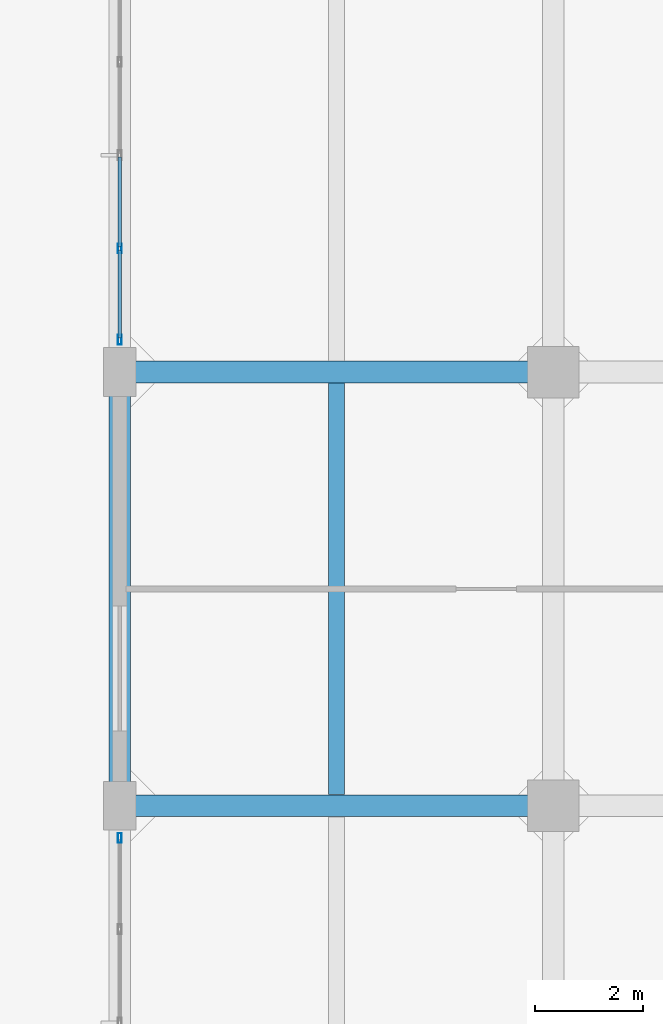
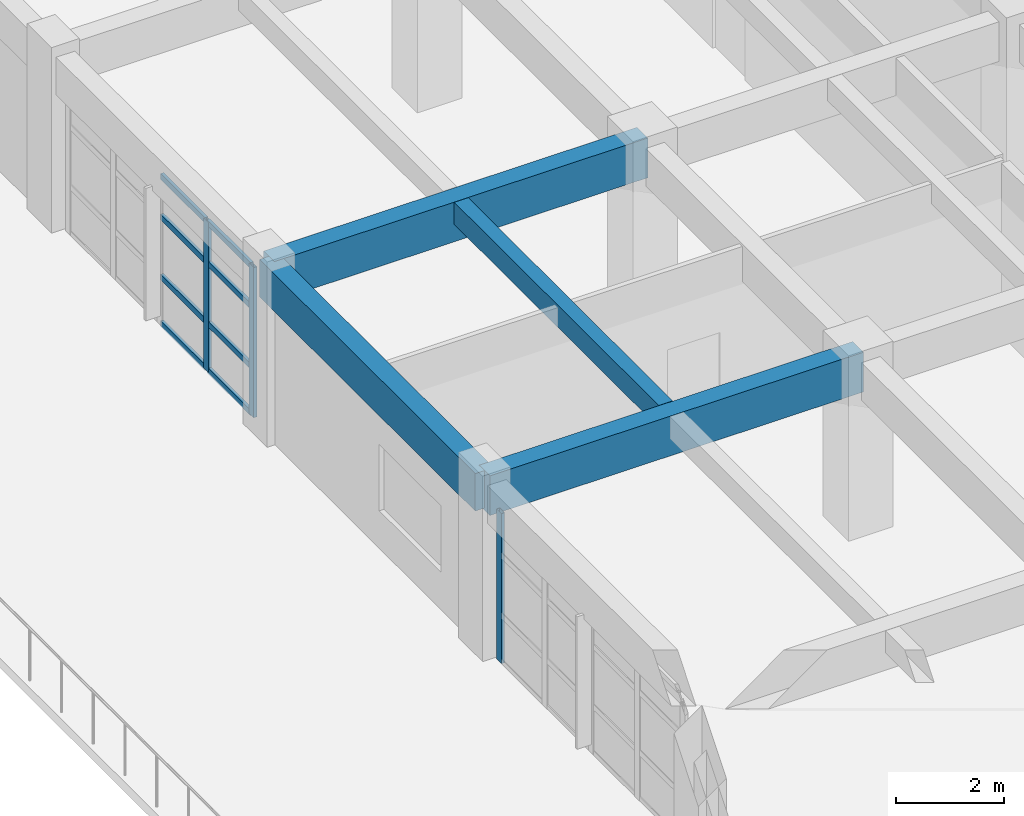
# One storey, part 6 of 35: 11 members, 4 beams, 2 elements without a shape of their own.
"""IFC4 building model written with IfcOpenShell, lengths in metres."""

from ifc_helpers import new_model, si_unit, direction, frame, origin, origin_2d, place, context, subcontext, project, spatial, rectangle, hollow_rectangle, extrude, material, layer, layer_set, material_profile, profile_set, type_object, element, aggregate, save


model = new_model("IFC4")

# Units and contexts
model_context = context("Model", 3, precision=1e-05, world=origin(), true_north=direction((0.0, 1.0)))
body_context = subcontext(model_context, "Body", "Model", "MODEL_VIEW")
ifc_project = project(units=[si_unit("LENGTHUNIT", "METRE"), si_unit("AREAUNIT", "SQUARE_METRE"), si_unit("VOLUMEUNIT", "CUBIC_METRE"), si_unit("PLANEANGLEUNIT", "RADIAN"), si_unit("MASSUNIT", "GRAM", prefix="KILO")], contexts=[model_context])

# Site, building, storey
site_placement = place(None, origin())
site = spatial("IfcSite", under=ifc_project, at=site_placement, CompositionType="ELEMENT")
building_placement = place(site_placement, origin())
building = spatial("IfcBuilding", under=site, at=building_placement, Name="Canggui Botanical Conservatory", CompositionType="ELEMENT")
storey_placement = place(building_placement, frame((0.0, 0.0, 15.0)))
storey = spatial("IfcBuildingStorey", under=building, at=storey_placement, Name="L04", CompositionType="ELEMENT", Elevation=15.0)

# Beams
ifc_material_1 = material(Name="Concrete C35", Category="concrete")
ifc_material_profile_1 = material_profile(ifc_material_1, rectangle(XDim=0.300048828125, YDim=0.5, at=origin_2d()), Name="RB 300x500")
ifc_profile_set_1 = profile_set([ifc_material_profile_1], Name="Concrete C35")
beam_type_1 = type_object("IfcBeamType", Name="BM-JST02", PredefinedType="JOIST", material=ifc_profile_set_1)
beam_1_placement = place(storey_placement, frame((142.0, 50.205078125, 3.699951171875), z_axis=(0.0, 1.0, 0.0), x_axis=(-1.0, 0.0, 0.0)))
element("IfcBeam", 1, at=beam_1_placement, inside=storey, type_object=beam_type_1, Name="Secondary Floor Joist L04-1-4", PredefinedType="JOIST", context=body_context, shape_type="SweptSolid", body=[
    extrude(rectangle(XDim=0.300048828125, YDim=0.5, at=origin_2d()), origin(), (0.0, 0.0, 1.0), 7.58984375),
])
ifc_material_profile_2 = material_profile(ifc_material_1, rectangle(XDim=0.39990234375, YDim=0.89990234375, at=origin_2d()), Name="RB 400x900")
ifc_profile_set_2 = profile_set([ifc_material_profile_2], Name="Concrete C35")
beam_type_2 = type_object("IfcBeamType", Name="BM-KL07", PredefinedType="BEAM", material=ifc_profile_set_2)
for number, where, z_axis, x_axis, name in (
    (2, (138.0, 50.0, 3.5), (1.0, 0.0, 0.0), (0.0, 1.0, 0.0), "Frame Girder L04 Y50-1"),
    (3, (138.0, 58.0, 3.5), (1.0, 0.0, 0.0), (0.0, 1.0, 0.0), "Frame Girder L04 Y58-1"),
):
    element("IfcBeam", number, at=place(storey_placement, frame(where, z_axis=z_axis, x_axis=x_axis)), inside=storey, type_object=beam_type_2, Name=name, PredefinedType="BEAM", context=body_context, shape_type="SweptSolid", body=[
        extrude(rectangle(XDim=0.39990234375, YDim=0.89990234375, at=origin_2d()), origin(), (0.0, 0.0, 1.0), 8.0),
    ])
ifc_material_profile_3 = material_profile(ifc_material_1, rectangle(XDim=0.39990234375, YDim=0.85009765625, at=origin_2d()), Name="RB 400x850")
ifc_profile_set_3 = profile_set([ifc_material_profile_3], Name="Concrete C35")
beam_type_3 = type_object("IfcBeamType", Name="BM-KL08", PredefinedType="BEAM", material=ifc_profile_set_3)
beam_2_placement = place(storey_placement, frame((138.0, 50.0, 3.52490234375), z_axis=(0.0, 1.0, 0.0), x_axis=(-1.0, 0.0, 0.0)))
element("IfcBeam", 4, at=beam_2_placement, inside=storey, type_object=beam_type_3, Name="Frame Girder L04 X138-4", PredefinedType="BEAM", context=body_context, shape_type="SweptSolid", body=[
    extrude(rectangle(XDim=0.39990234375, YDim=0.85009765625, at=origin_2d()), origin(), (0.0, 0.0, 1.0), 8.0),
])

# Curtain wall, member
ifc_material_2 = material(Name="Thermally Broken Aluminium", Category="aluminium")
ifc_layer = layer(ifc_material_2, 0.179931640625, Name="Thermally Broken Aluminium", Category="aluminium")
ifc_layer_set = layer_set([ifc_layer], Name="Thermally Broken Aluminium")
curtain_wall_type = type_object("IfcCurtainWallType", Name="CW-UNIT-A", PredefinedType="USERDEFINED", material=ifc_layer_set)
curtain_wall_1_placement = place(storey_placement, origin())
curtain_wall_1 = element("IfcCurtainWall", 5, at=curtain_wall_1_placement, inside=storey, type_object=curtain_wall_type, Name="Facade Curtain Wall CW-TWR-L04-08", ObjectType="UNITISED CURTAIN WALL", PredefinedType="USERDEFINED")
ifc_material_profile_4 = material_profile(ifc_material_2, hollow_rectangle(XDim=0.070068359375, YDim=0.179931640625, WallThickness=0.00390625, at=origin_2d()), Name="CWM 70x180x4")
ifc_profile_set_4 = profile_set([ifc_material_profile_4], Name="Thermally Broken Aluminium")
member_type_1 = type_object("IfcMemberType", Name="CWM-01", PredefinedType="MULLION", material=ifc_profile_set_4)
member_1_placement = place(storey_placement, frame((138.0, 49.405029296875, 0.0), z_axis=(0.0, 0.0, 1.0), x_axis=(-1.0, 0.0, 0.0)))
member_1 = element("IfcMember", 6, at=member_1_placement, type_object=member_type_1, Name="CW-01 mullion 5", PredefinedType="MULLION", context=body_context, shape_type="SweptSolid", body=[
    extrude(hollow_rectangle(XDim=0.070068359375, YDim=0.179931640625, WallThickness=0.00390625, at=origin_2d()), origin(), (0.0, 0.0, 1.0), 3.39990234375),
])
aggregate(curtain_wall_1, [member_1])

# Curtain wall, members
curtain_wall_2_placement = place(storey_placement, origin())
curtain_wall_2 = element("IfcCurtainWall", 7, at=curtain_wall_2_placement, inside=storey, type_object=curtain_wall_type, Name="Facade Curtain Wall CW-TWR-L04-10", ObjectType="UNITISED CURTAIN WALL", PredefinedType="USERDEFINED")
member_2_placement = place(storey_placement, frame((138.0, 58.594970703125, 0.0), z_axis=(0.0, 0.0, 1.0), x_axis=(-1.0, 0.0, 0.0)))
member_2 = element("IfcMember", 8, at=member_2_placement, type_object=member_type_1, Name="CW-01 mullion 1", PredefinedType="MULLION", context=body_context, shape_type="SweptSolid", body=[
    extrude(hollow_rectangle(XDim=0.070068359375, YDim=0.179931640625, WallThickness=0.00390625, at=origin_2d()), origin(), (0.0, 0.0, 1.0), 3.39990234375),
])
member_3_placement = place(storey_placement, frame((138.0, 60.280029296875, 0.0), z_axis=(0.0, 0.0, 1.0), x_axis=(-1.0, 0.0, 0.0)))
member_3 = element("IfcMember", 9, at=member_3_placement, type_object=member_type_1, Name="CW-01 mullion 2", PredefinedType="MULLION", context=body_context, shape_type="SweptSolid", body=[
    extrude(hollow_rectangle(XDim=0.070068359375, YDim=0.179931640625, WallThickness=0.00390625, at=origin_2d()), origin(), (0.0, 0.0, 1.0), 3.39990234375),
])
ifc_material_profile_5 = material_profile(ifc_material_2, hollow_rectangle(XDim=0.06494140625, YDim=0.1298828125, WallThickness=0.00341796875, at=origin_2d()), Name="CWT 65x130x3.5")
ifc_profile_set_5 = profile_set([ifc_material_profile_5], Name="Thermally Broken Aluminium")
member_type_2 = type_object("IfcMemberType", Name="CWT-01", PredefinedType="USERDEFINED", material=ifc_profile_set_5)
member_4_placement = place(storey_placement, frame((138.0, 58.6298828125, 0.032470703125), z_axis=(0.0, 1.0, 0.0), x_axis=(-1.0, 0.0, 0.0)))
member_4 = element("IfcMember", 10, at=member_4_placement, type_object=member_type_2, Name="CW-01 transom 1.1", ObjectType="TRANSOM", PredefinedType="USERDEFINED", context=body_context, shape_type="SweptSolid", body=[
    extrude(hollow_rectangle(XDim=0.06494140625, YDim=0.1298828125, WallThickness=0.00341796875, at=origin_2d()), origin(), (0.0, 0.0, 1.0), 1.615234375),
])
member_5_placement = place(storey_placement, frame((138.0, 58.6298828125, 1.087890625), z_axis=(0.0, 1.0, 0.0), x_axis=(-1.0, 0.0, 0.0)))
member_5 = element("IfcMember", 11, at=member_5_placement, type_object=member_type_2, Name="CW-01 transom 1.2", ObjectType="TRANSOM", PredefinedType="USERDEFINED", context=body_context, shape_type="SweptSolid", body=[
    extrude(hollow_rectangle(XDim=0.06494140625, YDim=0.1298828125, WallThickness=0.00341796875, at=origin_2d()), origin(), (0.0, 0.0, 1.0), 1.615234375),
])
member_6_placement = place(storey_placement, frame((138.0, 58.6298828125, 2.447998046875), z_axis=(0.0, 1.0, 0.0), x_axis=(-1.0, 0.0, 0.0)))
member_6 = element("IfcMember", 12, at=member_6_placement, type_object=member_type_2, Name="CW-01 transom 1.3", ObjectType="TRANSOM", PredefinedType="USERDEFINED", context=body_context, shape_type="SweptSolid", body=[
    extrude(hollow_rectangle(XDim=0.06494140625, YDim=0.1298828125, WallThickness=0.00341796875, at=origin_2d()), origin(), (0.0, 0.0, 1.0), 1.615234375),
])
member_7_placement = place(storey_placement, frame((138.0, 58.6298828125, 3.367431640625), z_axis=(0.0, 1.0, 0.0), x_axis=(-1.0, 0.0, 0.0)))
member_7 = element("IfcMember", 13, at=member_7_placement, type_object=member_type_2, Name="CW-01 transom 1.4", ObjectType="TRANSOM", PredefinedType="USERDEFINED", context=body_context, shape_type="SweptSolid", body=[
    extrude(hollow_rectangle(XDim=0.06494140625, YDim=0.1298828125, WallThickness=0.00341796875, at=origin_2d()), origin(), (0.0, 0.0, 1.0), 1.615234375),
])
member_8_placement = place(storey_placement, frame((138.0, 60.31494140625, 0.032470703125), z_axis=(0.0, 1.0, 0.0), x_axis=(-1.0, 0.0, 0.0)))
member_8 = element("IfcMember", 14, at=member_8_placement, type_object=member_type_2, Name="CW-01 transom 2.1", ObjectType="TRANSOM", PredefinedType="USERDEFINED", context=body_context, shape_type="SweptSolid", body=[
    extrude(hollow_rectangle(XDim=0.06494140625, YDim=0.1298828125, WallThickness=0.00341796875, at=origin_2d()), origin(), (0.0, 0.0, 1.0), 1.650146484375),
])
member_9_placement = place(storey_placement, frame((138.0, 60.31494140625, 1.087890625), z_axis=(0.0, 1.0, 0.0), x_axis=(-1.0, 0.0, 0.0)))
member_9 = element("IfcMember", 15, at=member_9_placement, type_object=member_type_2, Name="CW-01 transom 2.2", ObjectType="TRANSOM", PredefinedType="USERDEFINED", context=body_context, shape_type="SweptSolid", body=[
    extrude(hollow_rectangle(XDim=0.06494140625, YDim=0.1298828125, WallThickness=0.00341796875, at=origin_2d()), origin(), (0.0, 0.0, 1.0), 1.650146484375),
])
member_10_placement = place(storey_placement, frame((138.0, 60.31494140625, 2.447998046875), z_axis=(0.0, 1.0, 0.0), x_axis=(-1.0, 0.0, 0.0)))
member_10 = element("IfcMember", 16, at=member_10_placement, type_object=member_type_2, Name="CW-01 transom 2.3", ObjectType="TRANSOM", PredefinedType="USERDEFINED", context=body_context, shape_type="SweptSolid", body=[
    extrude(hollow_rectangle(XDim=0.06494140625, YDim=0.1298828125, WallThickness=0.00341796875, at=origin_2d()), origin(), (0.0, 0.0, 1.0), 1.650146484375),
])
member_11_placement = place(storey_placement, frame((138.0, 60.31494140625, 3.367431640625), z_axis=(0.0, 1.0, 0.0), x_axis=(-1.0, 0.0, 0.0)))
member_11 = element("IfcMember", 17, at=member_11_placement, type_object=member_type_2, Name="CW-01 transom 2.4", ObjectType="TRANSOM", PredefinedType="USERDEFINED", context=body_context, shape_type="SweptSolid", body=[
    extrude(hollow_rectangle(XDim=0.06494140625, YDim=0.1298828125, WallThickness=0.00341796875, at=origin_2d()), origin(), (0.0, 0.0, 1.0), 1.650146484375),
])
aggregate(curtain_wall_2, [member_2, member_3, member_4, member_5, member_6, member_7, member_8, member_9, member_10, member_11])

save(model, "model.ifc")
